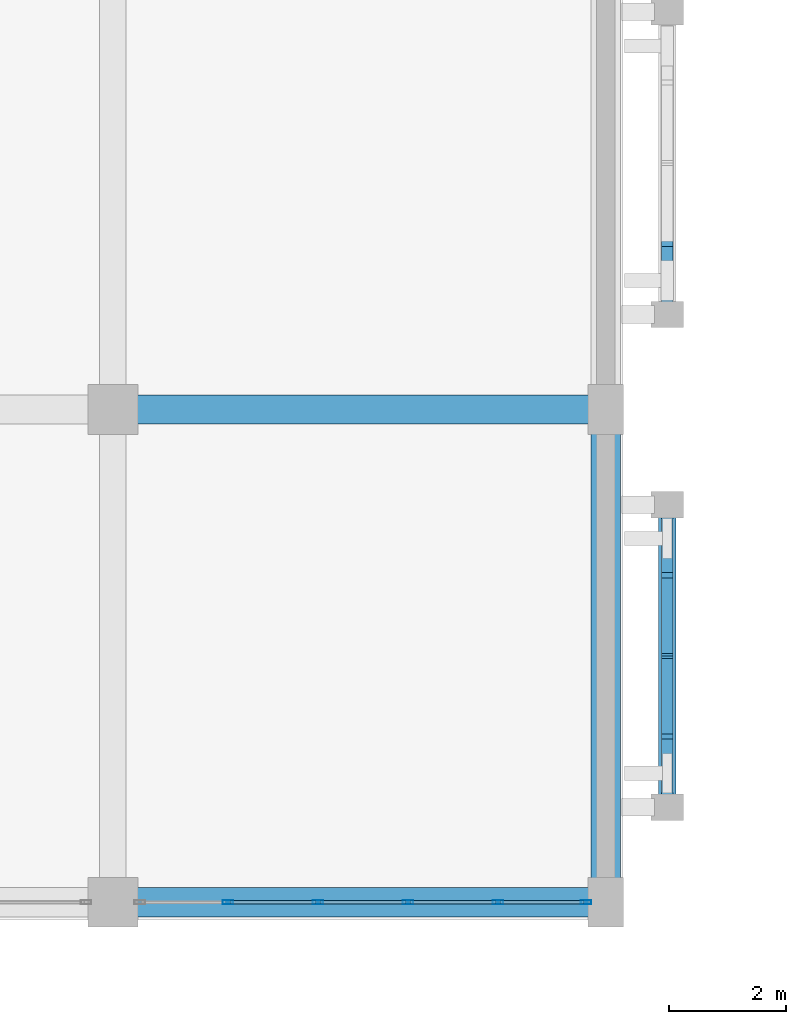
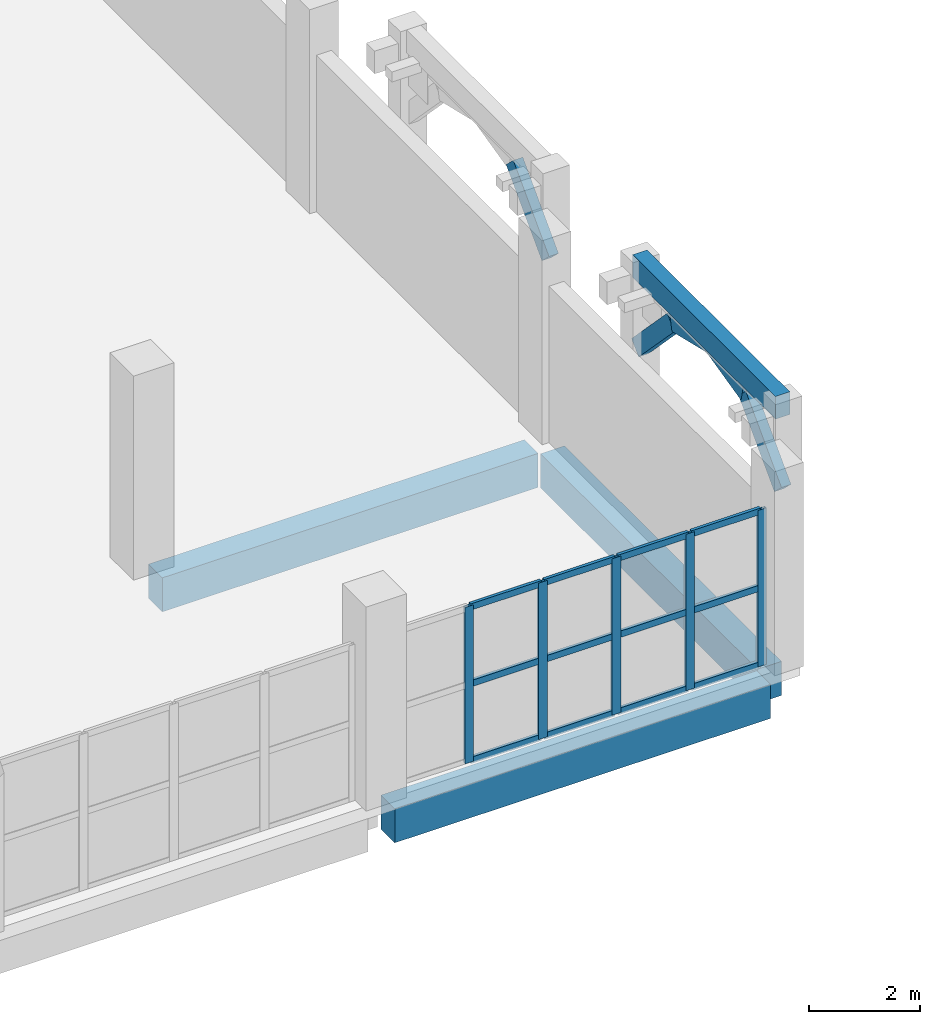
# One storey, part 37 of 137: 22 members, 4 beams, 1 element without a shape of its own.
"""IFC4 building model written with IfcOpenShell, lengths in metres."""

import ifcopenshell
import ifcopenshell.guid

model = None  # the IFC model being written
_history = None  # IfcOwnerHistory: only IFC2X3 demands one
_inside = {}  # id of a spatial element -> (the spatial element, [elements in it])
_under = {}  # id of a project, library or spatial element -> (it, [spatial elements below it])
_declared = {}  # id of a project -> (the project, [libraries it declares])
_typed = {}  # id of a type object -> (the type object, [elements of that type])
_made_of = {}  # id of a material, layer set ... -> (it, [elements and type objects made of it])


def new_model(schema):
    """Start an empty IFC model of exactly this schema.

    Asked for "IFC4X3", IfcOpenShell would pick the latest addendum, in which some entities
    have other attributes; the version numbers below select the first issue.
    IFC2X3 requires an IfcOwnerHistory on every rooted entity: one is made here for all.
    """
    global model, _history
    if schema == "IFC4X3":
        model = ifcopenshell.file(schema_version=(4, 3, 0, 0))
    else:
        model = ifcopenshell.file(schema=schema)
    _inside.clear()
    _under.clear()
    _declared.clear()
    _typed.clear()
    _made_of.clear()
    _history = None
    if model.schema == "IFC2X3":
        org = make("IfcOrganization", Name="unknown")
        user = make(
            "IfcPersonAndOrganization",
            ThePerson=make("IfcPerson", FamilyName="unknown"),
            TheOrganization=org,
        )
        app = make(
            "IfcApplication",
            ApplicationDeveloper=org,
            Version="unknown",
            ApplicationFullName="unknown",
            ApplicationIdentifier="unknown",
        )
        _history = make(
            "IfcOwnerHistory",
            OwningUser=user,
            OwningApplication=app,
            ChangeAction="ADDED",
            CreationDate=0,
        )
    return model


def make(cls, **values):
    """One entity of the class cls with the attributes given. An attribute that is None is left unset."""
    return model.create_entity(
        cls, **{name: value for name, value in values.items() if value is not None}
    )


def rooted(cls, **values):
    """An entity with a GlobalId (a new one), such as an element, a storey or a relation."""
    return make(cls, GlobalId=ifcopenshell.guid.new(), OwnerHistory=_history, **values)


def si_unit(unit_type, name, prefix=None):
    """IfcSIUnit, for example si_unit("LENGTHUNIT", "METRE", prefix="MILLI")."""
    return make("IfcSIUnit", UnitType=unit_type, Prefix=prefix, Name=name)


def assignment(units):
    """IfcUnitAssignment: the units of a project."""
    return None if units is None else make("IfcUnitAssignment", Units=units)


def point(xyz):
    """IfcCartesianPoint."""
    return None if xyz is None else make("IfcCartesianPoint", Coordinates=xyz)


def direction(xyz):
    """IfcDirection."""
    return None if xyz is None else make("IfcDirection", DirectionRatios=xyz)


def frame(location, z_axis=None, x_axis=None):
    """IfcAxis2Placement3D, a coordinate frame: its origin and axes. An axis left out is left unset."""
    return make(
        "IfcAxis2Placement3D",
        Location=point(location),
        Axis=direction(z_axis),
        RefDirection=direction(x_axis),
    )


def frame_2d(location, x_axis=None):
    """IfcAxis2Placement2D, a coordinate frame in the plane: its origin and x axis."""
    return make(
        "IfcAxis2Placement2D", Location=point(location), RefDirection=direction(x_axis)
    )


def origin():
    """The frame at (0, 0, 0) with its axes left unset."""
    return frame((0.0, 0.0, 0.0))


def origin_2d():
    """The frame at (0, 0) in the plane with its x axis left unset."""
    return frame_2d((0.0, 0.0))


def place(relative_to, where):
    """IfcLocalPlacement: puts the frame where relative to a parent placement (None: the world)."""
    return make(
        "IfcLocalPlacement", PlacementRelTo=relative_to, RelativePlacement=where
    )


def context(
    kind, dimensions, precision=None, world=None, true_north=None, identifier=None
):
    """IfcGeometricRepresentationContext, for example the 3D "Model" context."""
    return make(
        "IfcGeometricRepresentationContext",
        ContextIdentifier=identifier,
        ContextType=kind,
        CoordinateSpaceDimension=dimensions,
        Precision=precision,
        WorldCoordinateSystem=world,
        TrueNorth=true_north,
    )


def subcontext(parent, identifier, kind, view, scale=None):
    """IfcGeometricRepresentationSubContext, for example "Body" below "Model"."""
    return make(
        "IfcGeometricRepresentationSubContext",
        ContextIdentifier=identifier,
        ContextType=kind,
        ParentContext=parent,
        TargetScale=scale,
        TargetView=view,
    )


def project(units=None, contexts=None):
    """IfcProject with its units and contexts."""
    return rooted(
        "IfcProject",
        Name="project",
        RepresentationContexts=contexts,
        UnitsInContext=assignment(units),
    )


def spatial(cls, under=None, at=None, **own):
    """A site, building, storey or space (cls), placed at a placement, below another one or the project."""
    s = rooted(cls, ObjectPlacement=at, **own)
    if under is not None:
        _under.setdefault(under.id(), (under, []))[1].append(s)
    return s


def profile(cls, at=None, kind="AREA", **sizes):
    """A parametric profile (cls). Its sizes go by their IFC names, for example OverallWidth=200.0."""
    return make(cls, ProfileType=kind, Position=at, **sizes)


def rectangle(**sizes):
    """IfcRectangleProfileDef."""
    return profile("IfcRectangleProfileDef", **sizes)


def hollow_rectangle(**sizes):
    """IfcRectangleHollowProfileDef."""
    return profile("IfcRectangleHollowProfileDef", **sizes)


def extrude(swept, where, along, depth):
    """IfcExtrudedAreaSolid: the profile swept, set in the frame where, extruded along a direction by depth."""
    return make(
        "IfcExtrudedAreaSolid",
        SweptArea=swept,
        Position=where,
        ExtrudedDirection=direction(along),
        Depth=depth,
    )


def shape(context_of_items, identifier, shape_type, items):
    """IfcShapeRepresentation: the items that make up one representation, for example the "Body"."""
    return make(
        "IfcShapeRepresentation",
        ContextOfItems=context_of_items,
        RepresentationIdentifier=identifier,
        RepresentationType=shape_type,
        Items=items,
    )


def material(Name=None, Category=None):
    """IfcMaterial."""
    return make("IfcMaterial", Name=Name, Category=Category)


def layer(
    of_material, thickness, ventilated=None, Name=None, Category=None, Priority=None
):
    """IfcMaterialLayer: one layer of a wall or slab, of a material (None: an air gap)."""
    return make(
        "IfcMaterialLayer",
        Material=of_material,
        LayerThickness=thickness,
        IsVentilated=ventilated,
        Name=Name,
        Category=Category,
        Priority=Priority,
    )


def layer_set(layers, Name=None):
    """IfcMaterialLayerSet."""
    return make("IfcMaterialLayerSet", MaterialLayers=layers, LayerSetName=Name)


def material_profile(
    of_material, cross_section, Name=None, Category=None, Priority=None
):
    """IfcMaterialProfile: a cross section and its material."""
    return make(
        "IfcMaterialProfile",
        Name=Name,
        Material=of_material,
        Profile=cross_section,
        Priority=Priority,
        Category=Category,
    )


def profile_set(profiles, Name=None, composite=None):
    """IfcMaterialProfileSet."""
    return make(
        "IfcMaterialProfileSet",
        Name=Name,
        MaterialProfiles=profiles,
        CompositeProfile=composite,
    )


def made_of(thing, what):
    """Note that an element or type object is made of a material, layer set ...; save() writes the relation."""
    if what is not None:
        _made_of.setdefault(what.id(), (what, []))[1].append(thing)
    return thing


def type_object(cls, material=None, **own):
    """A type object (cls), such as IfcWallType, which elements share."""
    return made_of(rooted(cls, **own), material)


def element(
    cls,
    number,
    at=None,
    inside=None,
    cuts=None,
    type_object=None,
    material=None,
    context=None,
    identifier="Body",
    shape_type=None,
    held_by="IfcProductDefinitionShape",
    body=None,
    shapes=None,
    **own,
):
    """One element of the class cls, such as IfcWall. Its Tag is "e" and its number.

    at: its placement. inside: the storey or other place that contains it. cuts: it is an
    opening in that element (IfcRelVoidsElement). A single representation is given by context,
    identifier, shape_type and body (its items); several are given by shapes. held_by: the class
    of the entity that holds the representations. save() writes the other relations.
    """
    e = rooted(cls, Tag="e%d" % number, ObjectPlacement=at, **own)
    if body is not None:
        shapes = [shape(context, identifier, shape_type, body)]
    if shapes is not None:
        e.Representation = make(held_by, Representations=shapes)
    if inside is not None:
        _inside.setdefault(inside.id(), (inside, []))[1].append(e)
    if cuts is not None:
        rooted(
            "IfcRelVoidsElement", RelatingBuildingElement=cuts, RelatedOpeningElement=e
        )
    if type_object is not None:
        _typed.setdefault(type_object.id(), (type_object, []))[1].append(e)
    return made_of(e, material)


def aggregate(whole, parts):
    """IfcRelAggregates: a whole, such as a stair, and the parts it consists of."""
    return rooted("IfcRelAggregates", RelatingObject=whole, RelatedObjects=parts)


def save(model, path):
    """Write the relations noted so far, then the file.

    IfcRelAggregates (storeys below a building ...), IfcRelContainedInSpatialStructure (elements
    in a storey), IfcRelDefinesByType, IfcRelAssociatesMaterial and IfcRelDeclares: one each for
    every whole, place, type object, material and project.
    """
    for whole, parts in _under.values():
        aggregate(whole, parts)
    for where, things in _inside.values():
        rooted(
            "IfcRelContainedInSpatialStructure",
            RelatedElements=things,
            RelatingStructure=where,
        )
    for kind, things in _typed.values():
        rooted("IfcRelDefinesByType", RelatedObjects=things, RelatingType=kind)
    for what, things in _made_of.values():
        rooted("IfcRelAssociatesMaterial", RelatedObjects=things, RelatingMaterial=what)
    for by, libraries in _declared.values():
        rooted("IfcRelDeclares", RelatingContext=by, RelatedDefinitions=libraries)
    model.write(path)


model = new_model("IFC4")

# Units and contexts
model_context = context("Model", 3, precision=1e-05, world=origin(), true_north=direction((0.0, 1.0)))
body_context = subcontext(model_context, "Body", "Model", "MODEL_VIEW")
ifc_project = project(units=[si_unit("LENGTHUNIT", "METRE"), si_unit("AREAUNIT", "SQUARE_METRE"), si_unit("VOLUMEUNIT", "CUBIC_METRE"), si_unit("PLANEANGLEUNIT", "RADIAN"), si_unit("MASSUNIT", "GRAM", prefix="KILO")], contexts=[model_context])

# Site, building, storey
site_placement = place(None, origin())
site = spatial("IfcSite", under=ifc_project, at=site_placement, CompositionType="ELEMENT")
building_placement = place(site_placement, origin())
building = spatial("IfcBuilding", under=site, at=building_placement, Name="Xazarin Passage Department Store", CompositionType="ELEMENT")
storey_placement = place(building_placement, frame((0.0, 0.0, 5.39990234375)))
storey = spatial("IfcBuildingStorey", under=building, at=storey_placement, Name="L01", CompositionType="ELEMENT", Elevation=5.39990234375)

# Curtain wall, members
ifc_material_1 = material(Name="Bronze anodised aluminium", Category="aluminium")
ifc_layer = layer(ifc_material_1, 0.159912109375)
ifc_layer_set = layer_set([ifc_layer], Name="Bronze anodised aluminium")
curtain_wall_type = type_object("IfcCurtainWallType", Name="ARC-CW-ARC1", PredefinedType="NOTDEFINED", material=ifc_layer_set)
curtain_wall_placement = place(storey_placement, origin())
curtain_wall = element("IfcCurtainWall", 1, at=curtain_wall_placement, inside=storey, type_object=curtain_wall_type, Name="L01 V2S Curtain Wall 103", PredefinedType="NOTDEFINED")
ifc_material_profile_1 = material_profile(ifc_material_1, hollow_rectangle(XDim=0.06494140625, YDim=0.179931640625, WallThickness=0.00390625, at=origin_2d()), Name="ALU 65x180")
ifc_profile_set_1 = profile_set([ifc_material_profile_1], Name="Bronze anodised aluminium")
member_type_1 = type_object("IfcMemberType", Name="ARC-CWM-65x180", PredefinedType="MULLION", material=ifc_profile_set_1)
member_1_placement = place(storey_placement, frame((95.159912109375, 0.0, 0.0), z_axis=(0.0, 0.0, 1.0), x_axis=(0.0, 1.0, 0.0)))
member_1 = element("IfcMember", 2, at=member_1_placement, type_object=member_type_1, Name="CW3 mullion 2", PredefinedType="MULLION", context=body_context, shape_type="SweptSolid", body=[
    extrude(hollow_rectangle(XDim=0.06494140625, YDim=0.179931640625, WallThickness=0.00390625, at=origin_2d()), origin(), (0.0, 0.0, 1.0), 3.4501953125),
])
member_2_placement = place(storey_placement, frame((96.695068359375, 0.0, 0.0), z_axis=(0.0, 0.0, 1.0), x_axis=(0.0, 1.0, 0.0)))
member_2 = element("IfcMember", 3, at=member_2_placement, type_object=member_type_1, Name="CW3 mullion 3", PredefinedType="MULLION", context=body_context, shape_type="SweptSolid", body=[
    extrude(hollow_rectangle(XDim=0.06494140625, YDim=0.179931640625, WallThickness=0.00390625, at=origin_2d()), origin(), (0.0, 0.0, 1.0), 3.4501953125),
])
member_3_placement = place(storey_placement, frame((98.22998046875, 0.0, 0.0), z_axis=(0.0, 0.0, 1.0), x_axis=(0.0, 1.0, 0.0)))
member_3 = element("IfcMember", 4, at=member_3_placement, type_object=member_type_1, Name="CW3 mullion 4", PredefinedType="MULLION", context=body_context, shape_type="SweptSolid", body=[
    extrude(hollow_rectangle(XDim=0.06494140625, YDim=0.179931640625, WallThickness=0.00390625, at=origin_2d()), origin(), (0.0, 0.0, 1.0), 3.4501953125),
])
member_4_placement = place(storey_placement, frame((99.764892578125, 0.0, 0.0), z_axis=(0.0, 0.0, 1.0), x_axis=(0.0, 1.0, 0.0)))
member_4 = element("IfcMember", 5, at=member_4_placement, type_object=member_type_1, Name="CW3 mullion 5", PredefinedType="MULLION", context=body_context, shape_type="SweptSolid", body=[
    extrude(hollow_rectangle(XDim=0.06494140625, YDim=0.179931640625, WallThickness=0.00390625, at=origin_2d()), origin(), (0.0, 0.0, 1.0), 3.4501953125),
])
member_5_placement = place(storey_placement, frame((101.267578125, 0.0, 0.0), z_axis=(0.0, 0.0, 1.0), x_axis=(0.0, 1.0, 0.0)))
member_5 = element("IfcMember", 6, at=member_5_placement, type_object=member_type_1, Name="CW3 mullion 6", PredefinedType="MULLION", context=body_context, shape_type="SweptSolid", body=[
    extrude(hollow_rectangle(XDim=0.06494140625, YDim=0.179931640625, WallThickness=0.00390625, at=origin_2d()), origin(), (0.0, 0.0, 1.0), 3.4501953125),
])
ifc_material_profile_2 = material_profile(ifc_material_1, hollow_rectangle(XDim=0.06494140625, YDim=0.139892578125, WallThickness=0.00390625, at=origin_2d()), Name="ALU 65x140")
ifc_profile_set_2 = profile_set([ifc_material_profile_2], Name="Bronze anodised aluminium")
member_type_2 = type_object("IfcMemberType", Name="ARC-CWT-65x140", PredefinedType="USERDEFINED", material=ifc_profile_set_2)
member_6_placement = place(storey_placement, frame((95.1923828125, 0.0, 0.03271484375), z_axis=(1.0, 0.0, 0.0), x_axis=(0.0, 1.0, 0.0)))
member_6 = element("IfcMember", 7, at=member_6_placement, type_object=member_type_2, Name="CW3 transom 2.1", ObjectType="TRANSOM", PredefinedType="USERDEFINED", context=body_context, shape_type="SweptSolid", body=[
    extrude(hollow_rectangle(XDim=0.06494140625, YDim=0.139892578125, WallThickness=0.00390625, at=origin_2d()), origin(), (0.0, 0.0, 1.0), 1.47021484375),
])
member_7_placement = place(storey_placement, frame((95.1923828125, 0.0, 1.72509765625), z_axis=(1.0, 0.0, 0.0), x_axis=(0.0, 1.0, 0.0)))
member_7 = element("IfcMember", 8, at=member_7_placement, type_object=member_type_2, Name="CW3 transom 2.2", ObjectType="TRANSOM", PredefinedType="USERDEFINED", context=body_context, shape_type="SweptSolid", body=[
    extrude(hollow_rectangle(XDim=0.06494140625, YDim=0.139892578125, WallThickness=0.00390625, at=origin_2d()), origin(), (0.0, 0.0, 1.0), 1.47021484375),
])
member_8_placement = place(storey_placement, frame((95.1923828125, 0.0, 3.41748046875), z_axis=(1.0, 0.0, 0.0), x_axis=(0.0, 1.0, 0.0)))
member_8 = element("IfcMember", 9, at=member_8_placement, type_object=member_type_2, Name="CW3 transom 2.3", ObjectType="TRANSOM", PredefinedType="USERDEFINED", context=body_context, shape_type="SweptSolid", body=[
    extrude(hollow_rectangle(XDim=0.06494140625, YDim=0.139892578125, WallThickness=0.00390625, at=origin_2d()), origin(), (0.0, 0.0, 1.0), 1.47021484375),
])
member_9_placement = place(storey_placement, frame((96.7275390625, 0.0, 0.03271484375), z_axis=(1.0, 0.0, 0.0), x_axis=(0.0, 1.0, 0.0)))
member_9 = element("IfcMember", 10, at=member_9_placement, type_object=member_type_2, Name="CW3 transom 3.1", ObjectType="TRANSOM", PredefinedType="USERDEFINED", context=body_context, shape_type="SweptSolid", body=[
    extrude(hollow_rectangle(XDim=0.06494140625, YDim=0.139892578125, WallThickness=0.00390625, at=origin_2d()), origin(), (0.0, 0.0, 1.0), 1.469970703125),
])
member_10_placement = place(storey_placement, frame((96.7275390625, 0.0, 1.72509765625), z_axis=(1.0, 0.0, 0.0), x_axis=(0.0, 1.0, 0.0)))
member_10 = element("IfcMember", 11, at=member_10_placement, type_object=member_type_2, Name="CW3 transom 3.2", ObjectType="TRANSOM", PredefinedType="USERDEFINED", context=body_context, shape_type="SweptSolid", body=[
    extrude(hollow_rectangle(XDim=0.06494140625, YDim=0.139892578125, WallThickness=0.00390625, at=origin_2d()), origin(), (0.0, 0.0, 1.0), 1.469970703125),
])
member_11_placement = place(storey_placement, frame((96.7275390625, 0.0, 3.41748046875), z_axis=(1.0, 0.0, 0.0), x_axis=(0.0, 1.0, 0.0)))
member_11 = element("IfcMember", 12, at=member_11_placement, type_object=member_type_2, Name="CW3 transom 3.3", ObjectType="TRANSOM", PredefinedType="USERDEFINED", context=body_context, shape_type="SweptSolid", body=[
    extrude(hollow_rectangle(XDim=0.06494140625, YDim=0.139892578125, WallThickness=0.00390625, at=origin_2d()), origin(), (0.0, 0.0, 1.0), 1.469970703125),
])
member_12_placement = place(storey_placement, frame((98.262451171875, 0.0, 0.03271484375), z_axis=(1.0, 0.0, 0.0), x_axis=(0.0, 1.0, 0.0)))
member_12 = element("IfcMember", 13, at=member_12_placement, type_object=member_type_2, Name="CW3 transom 4.1", ObjectType="TRANSOM", PredefinedType="USERDEFINED", context=body_context, shape_type="SweptSolid", body=[
    extrude(hollow_rectangle(XDim=0.06494140625, YDim=0.139892578125, WallThickness=0.00390625, at=origin_2d()), origin(), (0.0, 0.0, 1.0), 1.469970703125),
])
member_13_placement = place(storey_placement, frame((98.262451171875, 0.0, 1.72509765625), z_axis=(1.0, 0.0, 0.0), x_axis=(0.0, 1.0, 0.0)))
member_13 = element("IfcMember", 14, at=member_13_placement, type_object=member_type_2, Name="CW3 transom 4.2", ObjectType="TRANSOM", PredefinedType="USERDEFINED", context=body_context, shape_type="SweptSolid", body=[
    extrude(hollow_rectangle(XDim=0.06494140625, YDim=0.139892578125, WallThickness=0.00390625, at=origin_2d()), origin(), (0.0, 0.0, 1.0), 1.469970703125),
])
member_14_placement = place(storey_placement, frame((98.262451171875, 0.0, 3.41748046875), z_axis=(1.0, 0.0, 0.0), x_axis=(0.0, 1.0, 0.0)))
member_14 = element("IfcMember", 15, at=member_14_placement, type_object=member_type_2, Name="CW3 transom 4.3", ObjectType="TRANSOM", PredefinedType="USERDEFINED", context=body_context, shape_type="SweptSolid", body=[
    extrude(hollow_rectangle(XDim=0.06494140625, YDim=0.139892578125, WallThickness=0.00390625, at=origin_2d()), origin(), (0.0, 0.0, 1.0), 1.469970703125),
])
member_15_placement = place(storey_placement, frame((99.797607421875, 0.0, 0.03271484375), z_axis=(1.0, 0.0, 0.0), x_axis=(0.0, 1.0, 0.0)))
member_15 = element("IfcMember", 16, at=member_15_placement, type_object=member_type_2, Name="CW3 transom 5.1", ObjectType="TRANSOM", PredefinedType="USERDEFINED", context=body_context, shape_type="SweptSolid", body=[
    extrude(hollow_rectangle(XDim=0.06494140625, YDim=0.139892578125, WallThickness=0.00390625, at=origin_2d()), origin(), (0.0, 0.0, 1.0), 1.4375),
])
member_16_placement = place(storey_placement, frame((99.797607421875, 0.0, 1.72509765625), z_axis=(1.0, 0.0, 0.0), x_axis=(0.0, 1.0, 0.0)))
member_16 = element("IfcMember", 17, at=member_16_placement, type_object=member_type_2, Name="CW3 transom 5.2", ObjectType="TRANSOM", PredefinedType="USERDEFINED", context=body_context, shape_type="SweptSolid", body=[
    extrude(hollow_rectangle(XDim=0.06494140625, YDim=0.139892578125, WallThickness=0.00390625, at=origin_2d()), origin(), (0.0, 0.0, 1.0), 1.4375),
])
member_17_placement = place(storey_placement, frame((99.797607421875, 0.0, 3.41748046875), z_axis=(1.0, 0.0, 0.0), x_axis=(0.0, 1.0, 0.0)))
member_17 = element("IfcMember", 18, at=member_17_placement, type_object=member_type_2, Name="CW3 transom 5.3", ObjectType="TRANSOM", PredefinedType="USERDEFINED", context=body_context, shape_type="SweptSolid", body=[
    extrude(hollow_rectangle(XDim=0.06494140625, YDim=0.139892578125, WallThickness=0.00390625, at=origin_2d()), origin(), (0.0, 0.0, 1.0), 1.4375),
])
aggregate(curtain_wall, [member_1, member_2, member_3, member_4, member_5, member_6, member_7, member_8, member_9, member_10, member_11, member_12, member_13, member_14, member_15, member_16, member_17])

# Beams
ifc_material_2 = material(Name="Concrete C35/45", Category="concrete")
ifc_material_profile_3 = material_profile(ifc_material_2, rectangle(XDim=0.300048828125, YDim=0.5, at=origin_2d()), Name="RC 300x500")
ifc_profile_set_3 = profile_set([ifc_material_profile_3], Name="Concrete C35/45")
beam_type_1 = type_object("IfcBeamType", Name="STR-BM-LN300x500", PredefinedType="LINTEL", material=ifc_profile_set_3)
beam_placement = place(storey_placement, frame((102.64990234375, 1.6201171875, 4.25), z_axis=(0.0, 1.0, 0.0), x_axis=(-1.0, 0.0, 0.0)))
element("IfcBeam", 19, at=beam_placement, inside=storey, type_object=beam_type_1, Name="L01 V2S Colonnade Spandrel Beam 018", PredefinedType="LINTEL", context=body_context, shape_type="SweptSolid", body=[
    extrude(rectangle(XDim=0.300048828125, YDim=0.5, at=origin_2d()), origin(), (0.0, 0.0, 1.0), 5.159912109375),
])
ifc_material_profile_4 = material_profile(ifc_material_2, rectangle(XDim=0.5, YDim=0.75, at=origin_2d()), Name="RC 500x750")
ifc_profile_set_4 = profile_set([ifc_material_profile_4], Name="Concrete C35/45")
beam_type_2 = type_object("IfcBeamType", Name="STR-BM-SP500x750", PredefinedType="SPANDREL", material=ifc_profile_set_4)
for number, where, z_axis, x_axis, name in (
    (20, (93.47998046875, 0.0, -0.6748046875), (1.0, 0.0, 0.0), (0.0, 1.0, 0.0), "L01 Grid Beam A/13-14"),
    (21, (93.47998046875, 8.39990234375, -0.6748046875), (1.0, 0.0, 0.0), (0.0, 1.0, 0.0), "L01 Grid Beam B/13-14"),
    (22, (101.60009765625, 0.280029296875, -0.6748046875), (0.0, 1.0, 0.0), (-1.0, 0.0, 0.0), "L01 Grid Beam 14/A-B"),
):
    element("IfcBeam", number, at=place(storey_placement, frame(where, z_axis=z_axis, x_axis=x_axis)), inside=storey, type_object=beam_type_2, Name=name, PredefinedType="SPANDREL", context=body_context, shape_type="SweptSolid", body=[
        extrude(rectangle(XDim=0.5, YDim=0.75, at=origin_2d()), origin(), (0.0, 0.0, 1.0), 7.840087890625),
    ])

# Members
ifc_material_3 = material(Name="Concrete C40/50", Category="concrete")
ifc_material_profile_5 = material_profile(ifc_material_3, rectangle(XDim=0.199951171875, YDim=0.360107421875, at=origin_2d()), Name="RC 200x360")
ifc_profile_set_5 = profile_set([ifc_material_profile_5], Name="Concrete C40/50")
member_type_3 = type_object("IfcMemberType", Name="STR-MEM-ARC360", PredefinedType="CHORD", material=ifc_profile_set_5)
member_18_placement = place(storey_placement, frame((102.64990234375, 1.6201171875, 2.43017578125), z_axis=(0.0, 0.693391944082, 0.720560623322), x_axis=(-1.0, 0.0, 0.0)))
element("IfcMember", 23, at=member_18_placement, inside=storey, type_object=member_type_3, Name="L01 V2S Pierced Lattice Curved Arch 018.1", PredefinedType="CHORD", context=body_context, shape_type="SweptSolid", body=[
    extrude(rectangle(XDim=0.199951171875, YDim=0.360107421875, at=origin_2d()), origin(), (0.0, 0.0, 1.0), 1.860107421875),
])
for number, where, z_axis, x_axis, name in (
    (24, (102.64990234375, 2.909912109375, 3.7705078125), (0.0, 0.972393983317, 0.233345111818), (-1.0, 0.0, 0.0), "L01 V2S Pierced Lattice Curved Arch 018.2"),
    (25, (102.64990234375, 4.199951171875, 4.080078125), (0.0, 0.972393983317, -0.233345111818), (-1.0, 0.0, 0.0), "L01 V2S Pierced Lattice Curved Arch 018.3"),
):
    element("IfcMember", number, at=place(storey_placement, frame(where, z_axis=z_axis, x_axis=x_axis)), inside=storey, type_object=member_type_3, Name=name, PredefinedType="CHORD", context=body_context, shape_type="SweptSolid", body=[
        extrude(rectangle(XDim=0.199951171875, YDim=0.360107421875, at=origin_2d()), origin(), (0.0, 0.0, 1.0), 1.32666015625),
    ])
for number, where, z_axis, x_axis, name in (
    (26, (102.64990234375, 5.489990234375, 3.7705078125), (0.0, 0.693460080602, -0.720495049679), (-1.0, 0.0, 0.0), "L01 V2S Pierced Lattice Curved Arch 018.4"),
    (27, (102.64990234375, 10.02001953125, 2.43017578125), (0.0, 0.693460080602, 0.720495049679), (-1.0, 0.0, 0.0), "L01 V2S Pierced Lattice Curved Arch 019.1"),
):
    element("IfcMember", number, at=place(storey_placement, frame(where, z_axis=z_axis, x_axis=x_axis)), inside=storey, type_object=member_type_3, Name=name, PredefinedType="CHORD", context=body_context, shape_type="SweptSolid", body=[
        extrude(rectangle(XDim=0.199951171875, YDim=0.360107421875, at=origin_2d()), origin(), (0.0, 0.0, 1.0), 1.8603515625),
    ])

save(model, "model.ifc")
